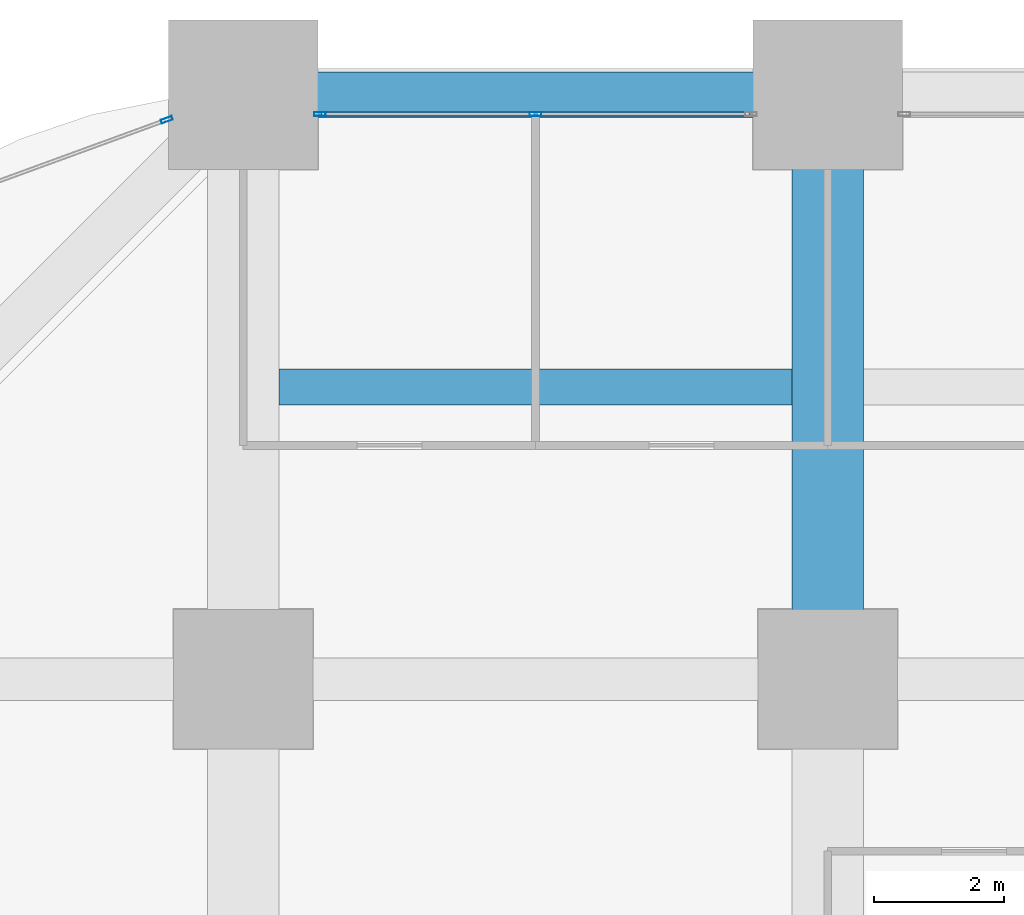
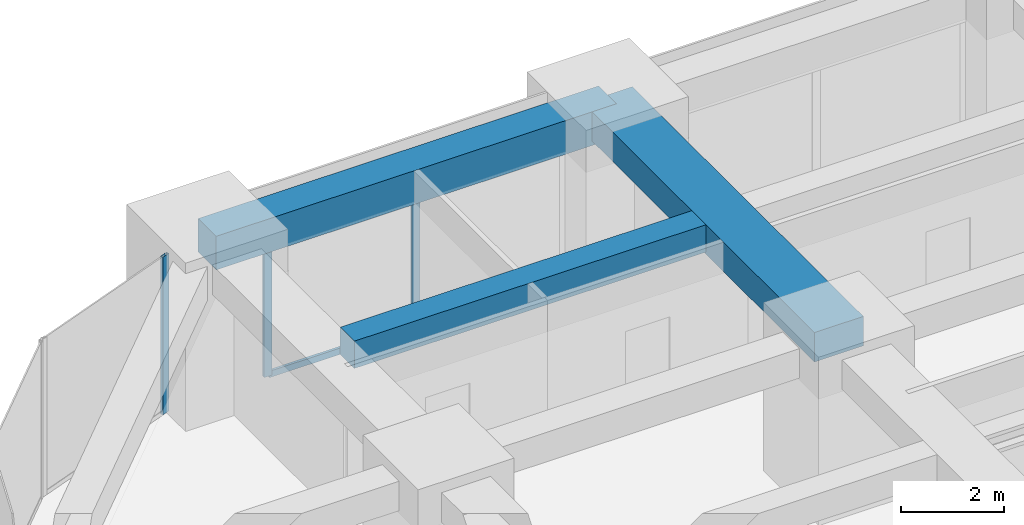
# One storey, part 28 of 44: 4 members, 3 beams, 2 elements without a shape of their own.
"""IFC4 building model written with IfcOpenShell, lengths in metres."""

from ifc_helpers import new_model, si_unit, direction, frame, origin, origin_2d, place, context, subcontext, project, spatial, rectangle, hollow_rectangle, extrude, material, material_profile, profile_set, type_object, element, aggregate, save


model = new_model("IFC4")

# Units and contexts
model_context = context("Model", 3, precision=1e-05, world=origin(), true_north=direction((0.0, 1.0)))
body_context = subcontext(model_context, "Body", "Model", "MODEL_VIEW")
ifc_project = project(units=[si_unit("LENGTHUNIT", "METRE"), si_unit("AREAUNIT", "SQUARE_METRE"), si_unit("VOLUMEUNIT", "CUBIC_METRE"), si_unit("PLANEANGLEUNIT", "RADIAN"), si_unit("MASSUNIT", "GRAM", prefix="KILO")], contexts=[model_context])

# Site, building, storey
site_placement = place(None, origin())
site = spatial("IfcSite", under=ifc_project, at=site_placement, CompositionType="ELEMENT")
building_placement = place(site_placement, origin())
building = spatial("IfcBuilding", under=site, at=building_placement, Name="Zorevar Civic Tower", CompositionType="ELEMENT")
storey_placement = place(building_placement, frame((0.0, 0.0, 51.800048828125)))
storey = spatial("IfcBuildingStorey", under=building, at=storey_placement, Name="L12", CompositionType="ELEMENT", Elevation=51.800048828125)

# Beams
ifc_material_1 = material(Name="Concrete C50/60", Category="concrete")
ifc_material_profile_1 = material_profile(ifc_material_1, rectangle(XDim=1.10009765625, YDim=0.699951171875, at=origin_2d()), Name="RC 1100x700")
ifc_profile_set_1 = profile_set([ifc_material_profile_1], Name="Concrete C50/60")
beam_type_1 = type_object("IfcBeamType", Name="Beam RC 1100x700", PredefinedType="BEAM", material=ifc_profile_set_1)
beam_1_placement = place(storey_placement, frame((18.0, 45.0, 3.39990234375), z_axis=(0.0, 1.0, 0.0), x_axis=(-1.0, 0.0, 0.0)))
element("IfcBeam", 1, at=beam_1_placement, inside=storey, type_object=beam_type_1, Name="Girder L13", PredefinedType="BEAM", context=body_context, shape_type="SweptSolid", body=[
    extrude(rectangle(XDim=1.10009765625, YDim=0.699951171875, at=origin_2d()), origin(), (0.0, 0.0, 1.0), 9.0),
])
ifc_material_2 = material(Name="Concrete C50/60", Category="concrete")
ifc_material_profile_2 = material_profile(ifc_material_2, rectangle(XDim=0.550048828125, YDim=0.64990234375, at=origin_2d()), Name="RC 550x650")
ifc_profile_set_2 = profile_set([ifc_material_profile_2], Name="Concrete C50/60")
beam_type_2 = type_object("IfcBeamType", Name="Beam RC 550x650", PredefinedType="BEAM", material=ifc_profile_set_2)
beam_2_placement = place(storey_placement, frame((9.550048828125, 49.5, 3.425048828125), z_axis=(1.0, 0.0, 0.0), x_axis=(0.0, 1.0, 0.0)))
element("IfcBeam", 2, at=beam_2_placement, inside=storey, type_object=beam_type_2, Name="Secondary beam L13", PredefinedType="BEAM", context=body_context, shape_type="SweptSolid", body=[
    extrude(rectangle(XDim=0.550048828125, YDim=0.64990234375, at=origin_2d()), origin(), (0.0, 0.0, 1.0), 7.89990234375),
])

# Curtain wall, members
ifc_material_3 = material(Name="Dark grey solar-control glass in black aluminium frame", Category="aluminium")
curtain_wall_type = type_object("IfcCurtainWallType", Name="Curtain wall CW2 low zone", PredefinedType="NOTDEFINED", material=ifc_material_3)
curtain_wall_1_placement = place(storey_placement, origin())
curtain_wall_1 = element("IfcCurtainWall", 3, at=curtain_wall_1_placement, inside=storey, type_object=curtain_wall_type, Name="CW2 L12", PredefinedType="NOTDEFINED")
ifc_material_4 = material(Name="Aluminium, black anodised", Category="aluminium")
ifc_material_profile_3 = material_profile(ifc_material_4, hollow_rectangle(XDim=0.06005859375, YDim=0.179931640625, WallThickness=0.00390625, at=origin_2d()), Name="AL 180x60x4")
ifc_profile_set_3 = profile_set([ifc_material_profile_3], Name="Aluminium, black anodised")
member_type_1 = type_object("IfcMemberType", Name="CW2 mullion AL 180x60x4", PredefinedType="MULLION", material=ifc_profile_set_3)
member_1_placement = place(storey_placement, frame((10.179931640625, 53.699951171875, 0.0), z_axis=(0.0, 0.0, 1.0), x_axis=(0.0, 1.0, 0.0)))
member_1 = element("IfcMember", 4, at=member_1_placement, type_object=member_type_1, Name="CW2 mullion 1", PredefinedType="MULLION", context=body_context, shape_type="SweptSolid", body=[
    extrude(hollow_rectangle(XDim=0.06005859375, YDim=0.179931640625, WallThickness=0.00390625, at=origin_2d()), origin(), (0.0, 0.0, 1.0), 2.949951171875),
])
member_2_placement = place(storey_placement, frame((13.5, 53.699951171875, 0.06005859375), z_axis=(0.0, 0.0, 1.0), x_axis=(0.0, 1.0, 0.0)))
member_2 = element("IfcMember", 5, at=member_2_placement, type_object=member_type_1, Name="CW2 mullion 2", PredefinedType="MULLION", context=body_context, shape_type="SweptSolid", body=[
    extrude(hollow_rectangle(XDim=0.06005859375, YDim=0.179931640625, WallThickness=0.00390625, at=origin_2d()), origin(), (0.0, 0.0, 1.0), 2.889892578125),
])

# Curtain wall, member
curtain_wall_2_placement = place(storey_placement, origin())
curtain_wall_2 = element("IfcCurtainWall", 6, at=curtain_wall_2_placement, inside=storey, type_object=curtain_wall_type, Name="CW2 L12", PredefinedType="NOTDEFINED")
member_3_placement = place(storey_placement, frame((7.82177734375, 53.61328125, 0.0), z_axis=(0.0, 0.0, 1.0), x_axis=(0.343060400701, -0.939313345732, 0.0)))
member_3 = element("IfcMember", 7, at=member_3_placement, type_object=member_type_1, Name="CW2 mullion 1", PredefinedType="MULLION", context=body_context, shape_type="SweptSolid", body=[
    extrude(hollow_rectangle(XDim=0.06005859375, YDim=0.179931640625, WallThickness=0.00390625, at=origin_2d()), origin(), (0.0, 0.0, 1.0), 3.75),
])
aggregate(curtain_wall_2, [member_3])

# Member
ifc_material_5 = material(Name="Aluminium, black anodised", Category="aluminium")
ifc_material_profile_4 = material_profile(ifc_material_5, hollow_rectangle(XDim=0.06005859375, YDim=0.14990234375, WallThickness=0.00390625, at=origin_2d()), Name="AL 150x60x4")
ifc_profile_set_4 = profile_set([ifc_material_profile_4], Name="Aluminium, black anodised")
member_type_2 = type_object("IfcMemberType", Name="CW2 transom AL 150x60x4", PredefinedType="USERDEFINED", material=ifc_profile_set_4)
member_4_placement = place(storey_placement, frame((10.2099609375, 53.699951171875, 0.030029296875), z_axis=(1.0, 0.0, 0.0), x_axis=(0.0, 1.0, 0.0)))
member_4 = element("IfcMember", 8, at=member_4_placement, type_object=member_type_2, Name="CW2 sill transom", ObjectType="TRANSOM", PredefinedType="USERDEFINED", context=body_context, shape_type="SweptSolid", body=[
    extrude(hollow_rectangle(XDim=0.06005859375, YDim=0.14990234375, WallThickness=0.00390625, at=origin_2d()), origin(), (0.0, 0.0, 1.0), 6.580078125),
])

aggregate(curtain_wall_1, [member_1, member_2, member_4])

# Beam
ifc_material_6 = material(Name="Concrete C50/60", Category="concrete")
ifc_material_profile_5 = material_profile(ifc_material_6, rectangle(XDim=0.699951171875, YDim=0.800048828125, at=origin_2d()), Name="RC 700x800")
ifc_profile_set_5 = profile_set([ifc_material_profile_5], Name="Concrete C50/60")
beam_type_3 = type_object("IfcBeamType", Name="Edge beam RC 700x800", PredefinedType="SPANDREL", material=ifc_profile_set_5)
beam_3_placement = place(storey_placement, frame((9.0, 54.0, 3.349853515625), z_axis=(1.0, 0.0, 0.0), x_axis=(0.0, 1.0, 0.0)))
element("IfcBeam", 9, at=beam_3_placement, inside=storey, type_object=beam_type_3, Name="Edge beam L13", PredefinedType="SPANDREL", context=body_context, shape_type="SweptSolid", body=[
    extrude(rectangle(XDim=0.699951171875, YDim=0.800048828125, at=origin_2d()), origin(), (0.0, 0.0, 1.0), 9.0),
])

save(model, "model.ifc")
